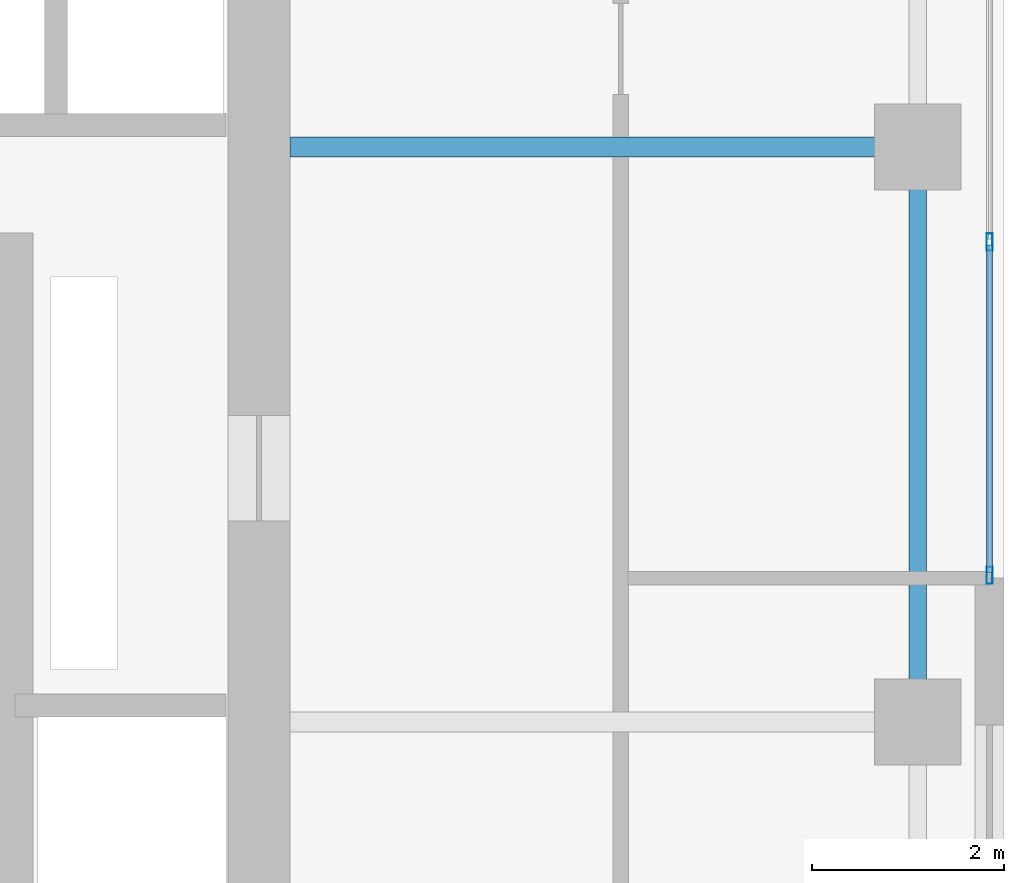
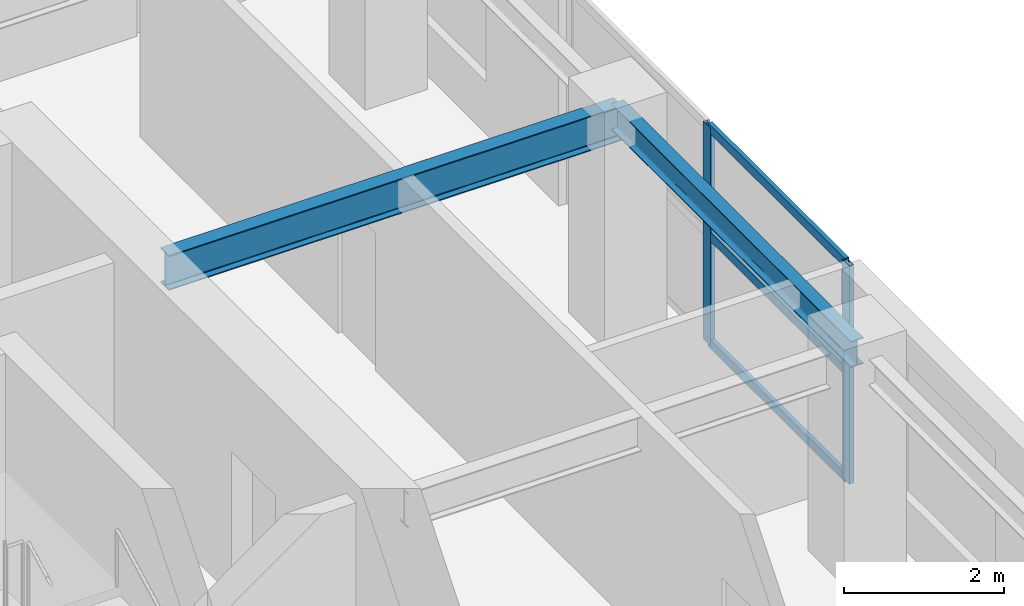
# One storey, part 6 of 15: 5 members, 2 beams, 1 element without a shape of its own.
"""IFC4 building model written with IfcOpenShell, lengths in metres."""

from ifc_helpers import new_model, si_unit, direction, frame, origin, origin_2d, place, context, subcontext, project, spatial, hollow_rectangle, i_section, extrude, source, transform, mapped, material, layer, layer_set, material_profile, profile_set, type_object, element, aggregate, save


model = new_model("IFC4")

# Units and contexts
model_context = context("Model", 3, precision=1e-05, world=origin(), true_north=direction((0.0, 1.0)))
body_context = subcontext(model_context, "Body", "Model", "MODEL_VIEW")
ifc_project = project(units=[si_unit("LENGTHUNIT", "METRE"), si_unit("AREAUNIT", "SQUARE_METRE"), si_unit("VOLUMEUNIT", "CUBIC_METRE"), si_unit("PLANEANGLEUNIT", "RADIAN"), si_unit("MASSUNIT", "GRAM", prefix="KILO")], contexts=[model_context])

# Site, building, storey
site_placement = place(None, origin())
site = spatial("IfcSite", under=ifc_project, at=site_placement, CompositionType="ELEMENT")
building_placement = place(site_placement, origin())
building = spatial("IfcBuilding", under=site, at=building_placement, Name="Khoralis Quay Care Tower", CompositionType="ELEMENT")
storey_placement = place(building_placement, frame((0.0, 0.0, 162.89990234375)))
storey = spatial("IfcBuildingStorey", under=building, at=storey_placement, Name="L42", CompositionType="ELEMENT", Elevation=162.89990234375)

# Beams
ifc_material_1 = material(Name="Steel S355", Category="steel")
ifc_material_profile_1 = material_profile(ifc_material_1, i_section(OverallWidth=0.179931640625, OverallDepth=0.39990234375, WebThickness=0.008544921875, FlangeThickness=0.013427734375, FilletRadius=0.02099609375, at=origin_2d()), Name="Steel S355")
ifc_profile_set_1 = profile_set([ifc_material_profile_1], Name="Steel S355")
beam_type_1 = type_object("IfcBeamType", Name="BM-IPE400", PredefinedType="SPANDREL", material=ifc_profile_set_1)
shared_shape_1 = source(origin(), body_context, "Body", "SweptSolid", [
    extrude(i_section(OverallWidth=0.179931640625, OverallDepth=0.39990234375, WebThickness=0.008544921875, FlangeThickness=0.013427734375, FilletRadius=0.02099609375, at=origin_2d()), origin(), (0.0, 0.0, 1.0), 6.0),
])
beam_1_placement = place(storey_placement, frame((44.10009765625, 18.0, 3.14013671875), z_axis=(0.0, 1.0, 0.0), x_axis=(-1.0, 0.0, 0.0)))
element("IfcBeam", 1, at=beam_1_placement, inside=storey, type_object=beam_type_1, Name="BM-TSP-L42-16", PredefinedType="SPANDREL", context=body_context, shape_type="MappedRepresentation", body=[
    mapped(shared_shape_1, transform((0.0, 0.0, 0.0), scale=1.0)),
])
ifc_material_profile_2 = material_profile(ifc_material_1, i_section(OverallWidth=0.208984375, OverallDepth=0.532958984375, WebThickness=0.01025390625, FlangeThickness=0.015625, FilletRadius=0.01611328125, at=origin_2d()), Name="Steel S355")
ifc_profile_set_2 = profile_set([ifc_material_profile_2], Name="Steel S355")
beam_type_2 = type_object("IfcBeamType", Name="BM-W530X92", PredefinedType="BEAM", material=ifc_profile_set_2)
shared_shape_2 = source(origin(), body_context, "Body", "SweptSolid", [
    extrude(i_section(OverallWidth=0.208984375, OverallDepth=0.532958984375, WebThickness=0.01025390625, FlangeThickness=0.015625, FilletRadius=0.01611328125, at=origin_2d()), origin(), (0.0, 0.0, 1.0), 6.552001953125),
])
beam_2_placement = place(storey_placement, frame((37.548095703125, 24.0, 3.073486328125), z_axis=(1.0, 0.0, 0.0), x_axis=(0.0, 1.0, 0.0)))
element("IfcBeam", 2, at=beam_2_placement, inside=storey, type_object=beam_type_2, Name="BM-TGXE-L42-240", PredefinedType="BEAM", context=body_context, shape_type="MappedRepresentation", body=[
    mapped(shared_shape_2, transform((0.0, 0.0, 0.0), scale=1.0)),
])

# Curtain wall, members
ifc_material_2 = material(Name="Pale anodised aluminium", Category="aluminium")
ifc_layer = layer(ifc_material_2, 0.159912109375)
ifc_layer_set = layer_set([ifc_layer], Name="Pale anodised aluminium")
curtain_wall_type = type_object("IfcCurtainWallType", Name="CW-SYS-Z3", PredefinedType="NOTDEFINED", material=ifc_layer_set)
curtain_wall_placement = place(storey_placement, origin())
curtain_wall = element("IfcCurtainWall", 3, at=curtain_wall_placement, inside=storey, type_object=curtain_wall_type, Name="L42 Unitised Curtain Wall CW-L42-P1-E5", PredefinedType="NOTDEFINED")
ifc_material_profile_3 = material_profile(ifc_material_2, hollow_rectangle(XDim=0.06494140625, YDim=0.179931640625, WallThickness=0.00390625, at=origin_2d()), Name="Pale anodised aluminium")
ifc_profile_set_3 = profile_set([ifc_material_profile_3], Name="Pale anodised aluminium")
member_type_1 = type_object("IfcMemberType", Name="CW-MUL-180", PredefinedType="MULLION", material=ifc_profile_set_3)
shared_shape_3 = source(origin(), body_context, "Body", "SweptSolid", [
    extrude(hollow_rectangle(XDim=0.06494140625, YDim=0.179931640625, WallThickness=0.00390625, at=origin_2d()), origin(), (0.0, 0.0, 1.0), 3.340087890625),
])
member_1_placement = place(storey_placement, frame((44.85009765625, 19.530029296875, 0.0), z_axis=(0.0, 0.0, 1.0), x_axis=(-1.0, 0.0, 0.0)))
member_1 = element("IfcMember", 4, at=member_1_placement, type_object=member_type_1, Name="CW3 mullion 1", PredefinedType="MULLION", context=body_context, shape_type="MappedRepresentation", body=[
    mapped(shared_shape_3, transform((0.0, 0.0, 0.0), scale=1.0)),
])
member_2_placement = place(storey_placement, frame((44.85009765625, 23.010009765625, 0.0), z_axis=(0.0, 0.0, 1.0), x_axis=(-1.0, 0.0, 0.0)))
member_2 = element("IfcMember", 5, at=member_2_placement, type_object=member_type_1, Name="CW3 mullion 2", PredefinedType="MULLION", context=body_context, shape_type="MappedRepresentation", body=[
    mapped(shared_shape_3, transform((0.0, 0.0, 0.0), scale=1.0)),
])
ifc_material_profile_4 = material_profile(ifc_material_2, hollow_rectangle(XDim=0.06005859375, YDim=0.139892578125, WallThickness=0.00390625, at=origin_2d()), Name="Pale anodised aluminium")
ifc_profile_set_4 = profile_set([ifc_material_profile_4], Name="Pale anodised aluminium")
member_type_2 = type_object("IfcMemberType", Name="CW-TRN-140", PredefinedType="USERDEFINED", material=ifc_profile_set_4)
shared_shape_4 = source(origin(), body_context, "Body", "SweptSolid", [
    extrude(hollow_rectangle(XDim=0.06005859375, YDim=0.139892578125, WallThickness=0.00390625, at=origin_2d()), origin(), (0.0, 0.0, 1.0), 3.419921875),
])
member_3_placement = place(storey_placement, frame((44.85009765625, 19.56005859375, 0.030029296875), z_axis=(0.0, 1.0, 0.0), x_axis=(-1.0, 0.0, 0.0)))
member_3 = element("IfcMember", 6, at=member_3_placement, type_object=member_type_2, Name="CW3 transom 1.1", ObjectType="TRANSOM", PredefinedType="USERDEFINED", context=body_context, shape_type="MappedRepresentation", body=[
    mapped(shared_shape_4, transform((0.0, 0.0, 0.0), scale=1.0)),
])
member_4_placement = place(storey_placement, frame((44.85009765625, 19.56005859375, 1.670166015625), z_axis=(0.0, 1.0, 0.0), x_axis=(-1.0, 0.0, 0.0)))
member_4 = element("IfcMember", 7, at=member_4_placement, type_object=member_type_2, Name="CW3 transom 1.2", ObjectType="TRANSOM", PredefinedType="USERDEFINED", context=body_context, shape_type="MappedRepresentation", body=[
    mapped(shared_shape_4, transform((0.0, 0.0, 0.0), scale=1.0)),
])
member_5_placement = place(storey_placement, frame((44.85009765625, 19.56005859375, 3.31005859375), z_axis=(0.0, 1.0, 0.0), x_axis=(-1.0, 0.0, 0.0)))
member_5 = element("IfcMember", 8, at=member_5_placement, type_object=member_type_2, Name="CW3 transom 1.3", ObjectType="TRANSOM", PredefinedType="USERDEFINED", context=body_context, shape_type="MappedRepresentation", body=[
    mapped(shared_shape_4, transform((0.0, 0.0, 0.0), scale=1.0)),
])
aggregate(curtain_wall, [member_1, member_2, member_3, member_4, member_5])

save(model, "model.ifc")
